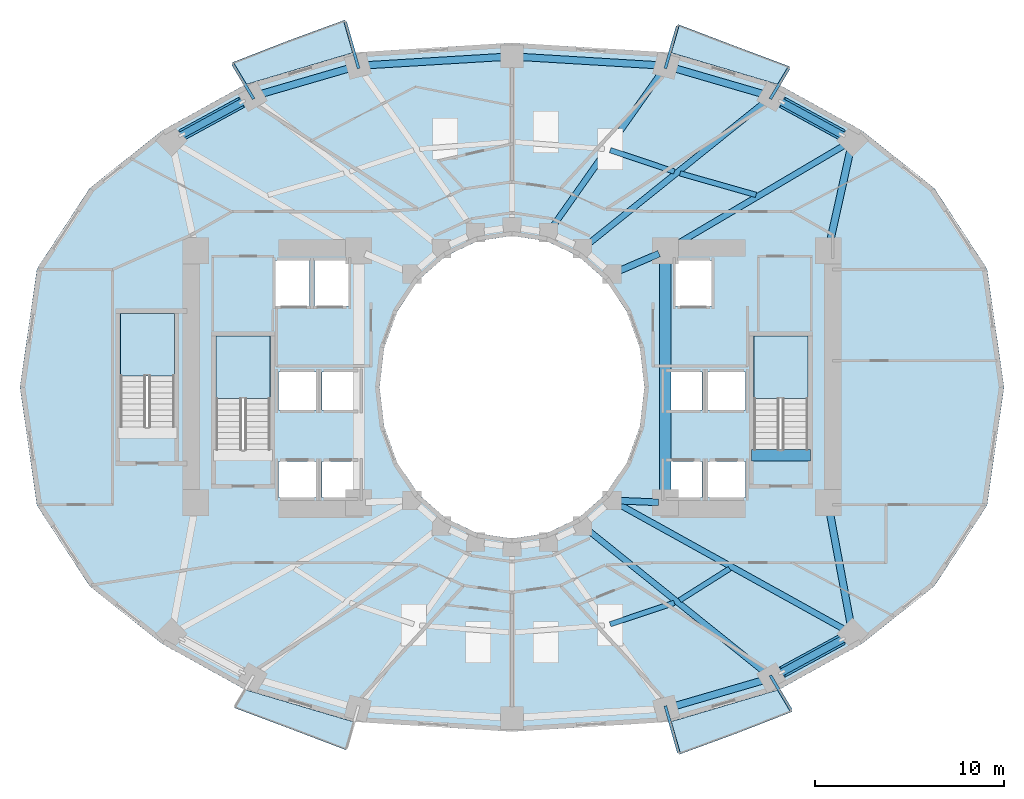
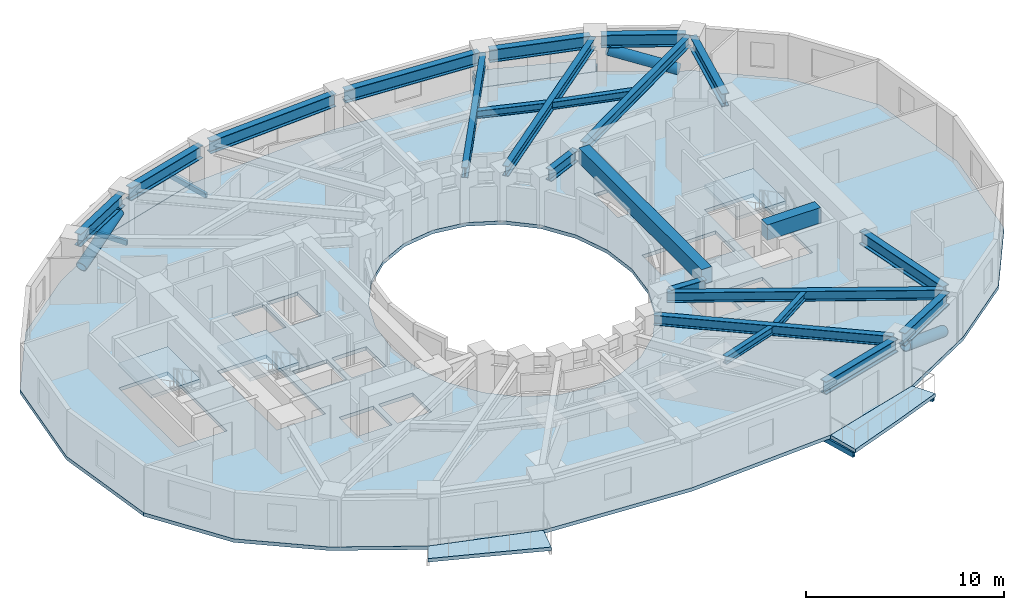
# One storey, part 2 of 11: 29 beams, 8 slabs, 3 members, 3 elements without a shape of their own.
"""IFC4 building model written with IfcOpenShell, lengths in metres."""

from ifc_helpers import new_model, si_unit, direction, frame, origin, origin_2d, place, context, subcontext, project, spatial, polyline, rectangle, hollow_rectangle, hollow_circle, i_section, outline, extrude, material, layer, layer_set, material_profile, profile_set, type_object, element, aggregate, save


model = new_model("IFC4")

# Units and contexts
model_context = context("Model", 3, precision=1e-05, world=origin(), true_north=direction((0.0, 1.0)))
body_context = subcontext(model_context, "Body", "Model", "MODEL_VIEW")
ifc_project = project(units=[si_unit("LENGTHUNIT", "METRE"), si_unit("AREAUNIT", "SQUARE_METRE"), si_unit("VOLUMEUNIT", "CUBIC_METRE"), si_unit("PLANEANGLEUNIT", "RADIAN"), si_unit("MASSUNIT", "GRAM", prefix="KILO")], contexts=[model_context])

# Site, building, storey
site_placement = place(None, origin())
site = spatial("IfcSite", under=ifc_project, at=site_placement, CompositionType="ELEMENT")
building_placement = place(site_placement, origin())
building = spatial("IfcBuilding", under=site, at=building_placement, Name="Solvane Sanctuary Tower", CompositionType="ELEMENT")
storey_placement = place(building_placement, frame((0.0, 0.0, 49.300048828125)))
storey = spatial("IfcBuildingStorey", under=building, at=storey_placement, Name="L14", CompositionType="ELEMENT", Elevation=49.300048828125)

# Beams
ifc_material_1 = material(Name="Steel ASTM A500 Grade C", Category="steel")
ifc_material_profile_1 = material_profile(ifc_material_1, hollow_rectangle(XDim=0.14990234375, YDim=0.300048828125, WallThickness=0.010009765625, at=origin_2d()), Name="HSS300X150X10")
ifc_profile_set_1 = profile_set([ifc_material_profile_1], Name="Steel ASTM A500 Grade C")
beam_type_1 = type_object("IfcBeamType", Name="Beam B-BALC-BRK HSS300X150X10", PredefinedType="BEAM", material=ifc_profile_set_1)
beam_1_placement = place(storey_placement, frame((45.650146484375, 38.230712890625, -0.3720703125), z_axis=(0.513795095213, 0.857912932724, 0.0), x_axis=(-0.857912932724, 0.513795095213, 0.0)))
element("IfcBeam", 1, at=beam_1_placement, inside=storey, type_object=beam_type_1, Name="L14 Balcony Bracket N1-1", PredefinedType="BEAM", context=body_context, shape_type="SweptSolid", body=[
    extrude(hollow_rectangle(XDim=0.14990234375, YDim=0.300048828125, WallThickness=0.010009765625, at=origin_2d()), origin(), (0.0, 0.0, 1.0), 1.896484375),
])
beam_2_placement = place(storey_placement, frame((40.103271484375, 39.84130859375, -0.3720703125), z_axis=(0.277479359198, 0.960731598949, 0.0), x_axis=(-0.960731598949, 0.277479359198, 0.0)))
element("IfcBeam", 2, at=beam_2_placement, inside=storey, type_object=beam_type_1, Name="L14 Balcony Bracket N1-2", PredefinedType="BEAM", context=body_context, shape_type="SweptSolid", body=[
    extrude(hollow_rectangle(XDim=0.14990234375, YDim=0.300048828125, WallThickness=0.010009765625, at=origin_2d()), origin(), (0.0, 0.0, 1.0), 2.325439453125),
])
beam_3_placement = place(storey_placement, frame((23.896484375, 39.84130859375, -0.3720703125), z_axis=(-0.275701054563, 0.961243428333, 0.0), x_axis=(-0.961243428333, -0.275701054563, 0.0)))
element("IfcBeam", 3, at=beam_3_placement, inside=storey, type_object=beam_type_1, Name="L14 Balcony Bracket N2-1", PredefinedType="BEAM", context=body_context, shape_type="SweptSolid", body=[
    extrude(hollow_rectangle(XDim=0.14990234375, YDim=0.300048828125, WallThickness=0.010009765625, at=origin_2d()), origin(), (0.0, 0.0, 1.0), 2.566162109375),
])
beam_4_placement = place(storey_placement, frame((18.349609375, 38.230712890625, -0.3720703125), z_axis=(-0.512242823479, 0.858840666127, 0.0), x_axis=(-0.858840666127, -0.512242823479, 0.0)))
element("IfcBeam", 4, at=beam_4_placement, inside=storey, type_object=beam_type_1, Name="L14 Balcony Bracket N2-2", PredefinedType="BEAM", context=body_context, shape_type="SweptSolid", body=[
    extrude(hollow_rectangle(XDim=0.14990234375, YDim=0.300048828125, WallThickness=0.010009765625, at=origin_2d()), origin(), (0.0, 0.0, 1.0), 2.13720703125),
])
beam_5_placement = place(storey_placement, frame((40.103515625, 6.15869140625, -0.3720703125), z_axis=(0.275701054563, -0.961243428333, 0.0), x_axis=(0.961243428333, 0.275701054563, 0.0)))
element("IfcBeam", 5, at=beam_5_placement, inside=storey, type_object=beam_type_1, Name="L14 Balcony Bracket S2-1", PredefinedType="BEAM", context=body_context, shape_type="SweptSolid", body=[
    extrude(hollow_rectangle(XDim=0.14990234375, YDim=0.300048828125, WallThickness=0.010009765625, at=origin_2d()), origin(), (0.0, 0.0, 1.0), 2.566162109375),
])
beam_6_placement = place(storey_placement, frame((45.650390625, 7.769287109375, -0.3720703125), z_axis=(0.512242823479, -0.858840666127, 0.0), x_axis=(0.858840666127, 0.512242823479, 0.0)))
element("IfcBeam", 6, at=beam_6_placement, inside=storey, type_object=beam_type_1, Name="L14 Balcony Bracket S2-2", PredefinedType="BEAM", context=body_context, shape_type="SweptSolid", body=[
    extrude(hollow_rectangle(XDim=0.14990234375, YDim=0.300048828125, WallThickness=0.010009765625, at=origin_2d()), origin(), (0.0, 0.0, 1.0), 2.13720703125),
])
ifc_material_2 = material(Name="Concrete C70/85", Category="concrete")
ifc_material_profile_2 = material_profile(ifc_material_2, rectangle(XDim=0.60009765625, YDim=0.949951171875, at=origin_2d()), Name="RC600X950")
ifc_profile_set_2 = profile_set([ifc_material_profile_2], Name="Concrete C70/85")
beam_type_2 = type_object("IfcBeamType", Name="Beam B-COUPLE RC600X950", PredefinedType="LINTEL", material=ifc_profile_set_2)
beam_7_placement = place(storey_placement, frame((40.10009765625, 17.35009765625, 2.625), z_axis=(0.0, 1.0, 0.0), x_axis=(-1.0, 0.0, 0.0)))
element("IfcBeam", 7, at=beam_7_placement, inside=storey, type_object=beam_type_2, Name="L14 East Core Coupling Lintel", PredefinedType="LINTEL", context=body_context, shape_type="SweptSolid", body=[
    extrude(rectangle(XDim=0.60009765625, YDim=0.949951171875, at=origin_2d()), origin(), (0.0, 0.0, 1.0), 12.39990234375),
])
beam_8_placement = place(storey_placement, frame((44.64990234375, 19.399169921875, 2.625), z_axis=(1.0, 0.0, 0.0), x_axis=(0.0, 1.0, 0.0)))
element("IfcBeam", 8, at=beam_8_placement, inside=storey, type_object=beam_type_2, Name="L14 ST-2 Stair Floor Landing Trimmer", PredefinedType="LINTEL", context=body_context, shape_type="SweptSolid", body=[
    extrude(rectangle(XDim=0.60009765625, YDim=0.949951171875, at=origin_2d()), origin(), (0.0, 0.0, 1.0), 3.1201171875),
])
ifc_material_3 = material(Name="Steel ASTM A992 Grade 50", Category="steel")
ifc_material_profile_3 = material_profile(ifc_material_3, i_section(OverallWidth=0.323974609375, OverallDepth=0.611083984375, WebThickness=0.0126953125, FlangeThickness=0.01904296875, FilletRadius=0.01611328125, at=origin_2d()), Name="W24X104")
ifc_profile_set_3 = profile_set([ifc_material_profile_3], Name="Steel ASTM A992 Grade 50")
beam_type_3 = type_object("IfcBeamType", Name="Beam B-RAD-Z1 W24X104", PredefinedType="BEAM", material=ifc_profile_set_3)
beam_9_placement = place(storey_placement, frame((40.41015625, 30.3828125, 2.572509765625), z_axis=(0.861291129905, 0.508111788435, 0.0), x_axis=(-0.508111788435, 0.861291129905, 0.0)))
element("IfcBeam", 9, at=beam_9_placement, inside=storey, type_object=beam_type_3, Name="L14 Radial Composite Floor Beam 01", PredefinedType="BEAM", context=body_context, shape_type="SweptSolid", body=[
    extrude(i_section(OverallWidth=0.323974609375, OverallDepth=0.611083984375, WebThickness=0.0126953125, FlangeThickness=0.01904296875, FilletRadius=0.01611328125, at=origin_2d()), origin(), (0.0, 0.0, 1.0), 10.844482421875),
])
beam_10_placement = place(storey_placement, frame((35.9482421875, 30.501953125, 2.572509765625), z_axis=(0.779526985436, 0.626368644631, 0.0), x_axis=(-0.626368644631, 0.779526985436, 0.0)))
element("IfcBeam", 10, at=beam_10_placement, inside=storey, type_object=beam_type_3, Name="L14 Radial Composite Floor Beam 02", PredefinedType="BEAM", context=body_context, shape_type="SweptSolid", body=[
    extrude(i_section(OverallWidth=0.323974609375, OverallDepth=0.611083984375, WebThickness=0.0126953125, FlangeThickness=0.01904296875, FilletRadius=0.01611328125, at=origin_2d()), origin(), (0.0, 0.0, 1.0), 12.2646484375),
])
beam_11_placement = place(storey_placement, frame((34.092041015625, 31.400390625, 2.572509765625), z_axis=(0.576233115666, 0.817285382476, 0.0), x_axis=(-0.817285382476, 0.576233115666, 0.0)))
element("IfcBeam", 11, at=beam_11_placement, inside=storey, type_object=beam_type_3, Name="L14 Radial Composite Floor Beam 03", PredefinedType="BEAM", context=body_context, shape_type="SweptSolid", body=[
    extrude(i_section(OverallWidth=0.323974609375, OverallDepth=0.611083984375, WebThickness=0.0126953125, FlangeThickness=0.01904296875, FilletRadius=0.01611328125, at=origin_2d()), origin(), (0.0, 0.0, 1.0), 10.224365234375),
])
beam_12_placement = place(storey_placement, frame((35.9482421875, 15.498046875, 2.572509765625), z_axis=(0.779526985436, -0.626368644631, 0.0), x_axis=(0.626368644631, 0.779526985436, 0.0)))
element("IfcBeam", 12, at=beam_12_placement, inside=storey, type_object=beam_type_3, Name="L14 Radial Composite Floor Beam 13", PredefinedType="BEAM", context=body_context, shape_type="SweptSolid", body=[
    extrude(i_section(OverallWidth=0.323974609375, OverallDepth=0.611083984375, WebThickness=0.0126953125, FlangeThickness=0.01904296875, FilletRadius=0.01611328125, at=origin_2d()), origin(), (0.0, 0.0, 1.0), 12.2646484375),
])
beam_13_placement = place(storey_placement, frame((37.52001953125, 16.882080078125, 2.572509765625), z_axis=(0.87449641157, -0.485031984668, 0.0), x_axis=(0.485031984668, 0.87449641157, 0.0)))
element("IfcBeam", 13, at=beam_13_placement, inside=storey, type_object=beam_type_3, Name="L14 Radial Composite Floor Beam 14", PredefinedType="BEAM", context=body_context, shape_type="SweptSolid", body=[
    extrude(i_section(OverallWidth=0.323974609375, OverallDepth=0.611083984375, WebThickness=0.0126953125, FlangeThickness=0.01904296875, FilletRadius=0.01611328125, at=origin_2d()), origin(), (0.0, 0.0, 1.0), 13.9814453125),
])
ifc_material_profile_4 = material_profile(ifc_material_3, i_section(OverallWidth=0.35498046875, OverallDepth=0.695068359375, WebThickness=0.015380859375, FlangeThickness=0.02490234375, FilletRadius=0.01806640625, at=origin_2d()), Name="W27X146")
ifc_profile_set_4 = profile_set([ifc_material_profile_4], Name="Steel ASTM A992 Grade 50")
beam_type_4 = type_object("IfcBeamType", Name="Beam B-RING-IN1 W27X146", PredefinedType="BEAM", material=ifc_profile_set_4)
beam_14_placement = place(storey_placement, frame((37.70654296875, 29.168212890625, 2.530517578125), z_axis=(0.918277080365, 0.395938383687, 0.0), x_axis=(-0.395938383687, 0.918277080365, 0.0)))
element("IfcBeam", 14, at=beam_14_placement, inside=storey, type_object=beam_type_4, Name="L14 Inner Light-Well Ring Beam IC01-CE4", PredefinedType="BEAM", context=body_context, shape_type="SweptSolid", body=[
    extrude(i_section(OverallWidth=0.35498046875, OverallDepth=0.695068359375, WebThickness=0.015380859375, FlangeThickness=0.02490234375, FilletRadius=0.01806640625, at=origin_2d()), origin(), (0.0, 0.0, 1.0), 2.246337890625),
])
beam_15_placement = place(storey_placement, frame((37.74462890625, 16.998291015625, 2.530517578125), z_axis=(0.999130953379, -0.041681386726, 0.0), x_axis=(0.041681386726, 0.999130953379, 0.0)))
element("IfcBeam", 15, at=beam_15_placement, inside=storey, type_object=beam_type_4, Name="L14 Inner Light-Well Ring Beam IC14-CE1", PredefinedType="BEAM", context=body_context, shape_type="SweptSolid", body=[
    extrude(i_section(OverallWidth=0.35498046875, OverallDepth=0.695068359375, WebThickness=0.015380859375, FlangeThickness=0.02490234375, FilletRadius=0.01806640625, at=origin_2d()), origin(), (0.0, 0.0, 1.0), 1.997314453125),
])
ifc_material_profile_5 = material_profile(ifc_material_3, i_section(OverallWidth=0.280029296875, OverallDepth=0.462890625, WebThickness=0.0107421875, FlangeThickness=0.017333984375, FilletRadius=0.013916015625, at=origin_2d()), Name="W18X76")
ifc_profile_set_5 = profile_set([ifc_material_profile_5], Name="Steel ASTM A992 Grade 50")
beam_type_5 = type_object("IfcBeamType", Name="Beam B-SEC-JOIST W18X76", PredefinedType="JOIST", material=ifc_profile_set_5)
beam_16_placement = place(storey_placement, frame((37.186767578125, 35.52880859375, 2.646484375), z_axis=(0.948259393162, -0.317496650816, 0.0), x_axis=(0.317496650816, 0.948259393162, 0.0)))
element("IfcBeam", 16, at=beam_16_placement, inside=storey, type_object=beam_type_5, Name="L14 Secondary Circumferential Joist 03-02", PredefinedType="JOIST", context=body_context, shape_type="SweptSolid", body=[
    extrude(i_section(OverallWidth=0.280029296875, OverallDepth=0.462890625, WebThickness=0.0107421875, FlangeThickness=0.017333984375, FilletRadius=0.013916015625, at=origin_2d()), origin(), (0.0, 0.0, 1.0), 3.577880859375),
])
beam_17_placement = place(storey_placement, frame((40.879638671875, 34.300048828125, 2.646484375), z_axis=(0.962003645121, -0.273036603358, 0.0), x_axis=(0.273036603358, 0.962003645121, 0.0)))
element("IfcBeam", 17, at=beam_17_placement, inside=storey, type_object=beam_type_5, Name="L14 Secondary Circumferential Joist 02-01", PredefinedType="JOIST", context=body_context, shape_type="SweptSolid", body=[
    extrude(i_section(OverallWidth=0.280029296875, OverallDepth=0.462890625, WebThickness=0.0107421875, FlangeThickness=0.017333984375, FilletRadius=0.013916015625, at=origin_2d()), origin(), (0.0, 0.0, 1.0), 4.174072265625),
])
beam_18_placement = place(storey_placement, frame((37.186767578125, 10.47119140625, 2.646484375), z_axis=(0.948259393162, 0.317496650816, 0.0), x_axis=(-0.317496650816, 0.948259393162, 0.0)))
element("IfcBeam", 18, at=beam_18_placement, inside=storey, type_object=beam_type_5, Name="L14 Secondary Circumferential Joist 12-13", PredefinedType="JOIST", context=body_context, shape_type="SweptSolid", body=[
    extrude(i_section(OverallWidth=0.280029296875, OverallDepth=0.462890625, WebThickness=0.0107421875, FlangeThickness=0.017333984375, FilletRadius=0.013916015625, at=origin_2d()), origin(), (0.0, 0.0, 1.0), 3.577880859375),
])
beam_19_placement = place(storey_placement, frame((40.861328125, 11.74072265625, 2.646484375), z_axis=(0.845524211665, 0.533937081957, 0.0), x_axis=(-0.533937081957, 0.845524211665, 0.0)))
element("IfcBeam", 19, at=beam_19_placement, inside=storey, type_object=beam_type_5, Name="L14 Secondary Circumferential Joist 13-14", PredefinedType="JOIST", context=body_context, shape_type="SweptSolid", body=[
    extrude(i_section(OverallWidth=0.280029296875, OverallDepth=0.462890625, WebThickness=0.0107421875, FlangeThickness=0.017333984375, FilletRadius=0.013916015625, at=origin_2d()), origin(), (0.0, 0.0, 1.0), 3.12158203125),
])
ifc_material_profile_6 = material_profile(ifc_material_3, i_section(OverallWidth=0.382080078125, OverallDepth=0.779052734375, WebThickness=0.01806640625, FlangeThickness=0.030029296875, FilletRadius=0.02001953125, at=origin_2d()), Name="W30X191")
ifc_profile_set_6 = profile_set([ifc_material_profile_6], Name="Steel ASTM A992 Grade 50")
beam_type_6 = type_object("IfcBeamType", Name="Beam B-SPAND-Z1 W30X191", PredefinedType="SPANDREL", material=ifc_profile_set_6)
beam_20_placement = place(storey_placement, frame((14.254150390625, 36.169189453125, 2.488525390625), z_axis=(0.878060556078, 0.478549537519, 0.0), x_axis=(-0.478549537519, 0.878060556078, 0.0)))
element("IfcBeam", 20, at=beam_20_placement, inside=storey, type_object=beam_type_6, Name="L14 Perimeter Spandrel Beam TC07-TC06", PredefinedType="SPANDREL", context=body_context, shape_type="SweptSolid", body=[
    extrude(i_section(OverallWidth=0.382080078125, OverallDepth=0.779052734375, WebThickness=0.01806640625, FlangeThickness=0.030029296875, FilletRadius=0.02001953125, at=origin_2d()), origin(), (0.0, 0.0, 1.0), 4.296630859375),
])
beam_21_placement = place(storey_placement, frame((18.54150390625, 38.437744140625, 2.488525390625), z_axis=(0.960096217722, 0.279669899553, 0.0), x_axis=(-0.279669899553, 0.960096217722, 0.0)))
element("IfcBeam", 21, at=beam_21_placement, inside=storey, type_object=beam_type_6, Name="L14 Perimeter Spandrel Beam TC06-TC05", PredefinedType="SPANDREL", context=body_context, shape_type="SweptSolid", body=[
    extrude(i_section(OverallWidth=0.382080078125, OverallDepth=0.779052734375, WebThickness=0.01806640625, FlangeThickness=0.030029296875, FilletRadius=0.02001953125, at=origin_2d()), origin(), (0.0, 0.0, 1.0), 5.25439453125),
])
for number, where, z_axis, x_axis, name in (
    (22, (24.134521484375, 40.00244140625, 2.488525390625), (0.998162966989, 0.060586230553, 0.0), (-0.060586230553, 0.998162966989, 0.0), "L14 Perimeter Spandrel Beam TC05-TC04"),
    (23, (32.279541015625, 40.462890625, 2.488525390625), (0.998162966989, -0.060586230553, 0.0), (0.060586230553, 0.998162966989, 0.0), "L14 Perimeter Spandrel Beam TC04-TC03"),
):
    element("IfcBeam", number, at=place(storey_placement, frame(where, z_axis=z_axis, x_axis=x_axis)), inside=storey, type_object=beam_type_6, Name=name, PredefinedType="SPANDREL", context=body_context, shape_type="SweptSolid", body=[
        extrude(i_section(OverallWidth=0.382080078125, OverallDepth=0.779052734375, WebThickness=0.01806640625, FlangeThickness=0.030029296875, FilletRadius=0.02001953125, at=origin_2d()), origin(), (0.0, 0.0, 1.0), 7.599853515625),
    ])
beam_22_placement = place(storey_placement, frame((40.413818359375, 39.9072265625, 2.488525390625), z_axis=(0.960096217722, -0.279669899553, 0.0), x_axis=(0.279669899553, 0.960096217722, 0.0)))
element("IfcBeam", 24, at=beam_22_placement, inside=storey, type_object=beam_type_6, Name="L14 Perimeter Spandrel Beam TC03-TC02", PredefinedType="SPANDREL", context=body_context, shape_type="SweptSolid", body=[
    extrude(i_section(OverallWidth=0.382080078125, OverallDepth=0.779052734375, WebThickness=0.01806640625, FlangeThickness=0.030029296875, FilletRadius=0.02001953125, at=origin_2d()), origin(), (0.0, 0.0, 1.0), 5.25439453125),
])
beam_23_placement = place(storey_placement, frame((45.97314453125, 38.225341796875, 2.488525390625), z_axis=(0.878060556078, -0.478549537519, 0.0), x_axis=(0.478549537519, 0.878060556078, 0.0)))
element("IfcBeam", 25, at=beam_23_placement, inside=storey, type_object=beam_type_6, Name="L14 Perimeter Spandrel Beam TC02-TC01", PredefinedType="SPANDREL", context=body_context, shape_type="SweptSolid", body=[
    extrude(i_section(OverallWidth=0.382080078125, OverallDepth=0.779052734375, WebThickness=0.01806640625, FlangeThickness=0.030029296875, FilletRadius=0.02001953125, at=origin_2d()), origin(), (0.0, 0.0, 1.0), 4.296630859375),
])
beam_24_placement = place(storey_placement, frame((49.93115234375, 35.761962890625, 2.488525390625), z_axis=(-0.216123846648, -0.976365957472, 0.0), x_axis=(0.976365957472, -0.216123846648, 0.0)))
element("IfcBeam", 26, at=beam_24_placement, inside=storey, type_object=beam_type_6, Name="L14 Perimeter Spandrel Beam TC01-CE3", PredefinedType="SPANDREL", context=body_context, shape_type="SweptSolid", body=[
    extrude(i_section(OverallWidth=0.382080078125, OverallDepth=0.779052734375, WebThickness=0.01806640625, FlangeThickness=0.030029296875, FilletRadius=0.02001953125, at=origin_2d()), origin(), (0.0, 0.0, 1.0), 5.41650390625),
])
beam_25_placement = place(storey_placement, frame((40.413818359375, 6.0927734375, 2.488525390625), z_axis=(0.960096217722, 0.279669899553, 0.0), x_axis=(-0.279669899553, 0.960096217722, 0.0)))
element("IfcBeam", 27, at=beam_25_placement, inside=storey, type_object=beam_type_6, Name="L14 Perimeter Spandrel Beam TC12-TC13", PredefinedType="SPANDREL", context=body_context, shape_type="SweptSolid", body=[
    extrude(i_section(OverallWidth=0.382080078125, OverallDepth=0.779052734375, WebThickness=0.01806640625, FlangeThickness=0.030029296875, FilletRadius=0.02001953125, at=origin_2d()), origin(), (0.0, 0.0, 1.0), 5.25439453125),
])
beam_26_placement = place(storey_placement, frame((45.97314453125, 7.774658203125, 2.488525390625), z_axis=(0.878060556078, 0.478549537519, 0.0), x_axis=(-0.478549537519, 0.878060556078, 0.0)))
element("IfcBeam", 28, at=beam_26_placement, inside=storey, type_object=beam_type_6, Name="L14 Perimeter Spandrel Beam TC13-TC14", PredefinedType="SPANDREL", context=body_context, shape_type="SweptSolid", body=[
    extrude(i_section(OverallWidth=0.382080078125, OverallDepth=0.779052734375, WebThickness=0.01806640625, FlangeThickness=0.030029296875, FilletRadius=0.02001953125, at=origin_2d()), origin(), (0.0, 0.0, 1.0), 4.296630859375),
])
beam_27_placement = place(storey_placement, frame((49.9404296875, 10.239990234375, 2.488525390625), z_axis=(-0.183108171104, 0.983092771652, 0.0), x_axis=(-0.983092771652, -0.183108171104, 0.0)))
element("IfcBeam", 29, at=beam_27_placement, inside=storey, type_object=beam_type_6, Name="L14 Perimeter Spandrel Beam TC14-CE2", PredefinedType="SPANDREL", context=body_context, shape_type="SweptSolid", body=[
    extrude(i_section(OverallWidth=0.382080078125, OverallDepth=0.779052734375, WebThickness=0.01806640625, FlangeThickness=0.030029296875, FilletRadius=0.02001953125, at=origin_2d()), origin(), (0.0, 0.0, 1.0), 6.49462890625),
])

# Members
ifc_material_profile_7 = material_profile(ifc_material_3, hollow_circle(Radius=0.304931640625, WallThickness=0.01611328125, at=origin_2d()), Name="CHS610X16")
ifc_profile_set_7 = profile_set([ifc_material_profile_7], Name="Steel ASTM A992 Grade 50")
member_type = type_object("IfcMemberType", Name="Member M-TUBE-Z1 CHS610X16", PredefinedType="BRACE", material=ifc_profile_set_7)
for number, where, z_axis, x_axis, name in (
    (30, (49.43408203125, 36.339111328125, 0.604736328125), (-0.827757582726, 0.451121829397, 0.333626256882), (-0.478539548862, -0.878065999897, 0.0), "L14 Perimeter Braced-Tube Diagonal NE"),
    (31, (14.56591796875, 36.339111328125, 0.604736328125), (0.827757582726, 0.451121829397, 0.333626256882), (-0.478539548862, 0.878065999897, 0.0), "L14 Perimeter Braced-Tube Diagonal NW"),
    (32, (49.43408203125, 9.660888671875, 0.604736328125), (-0.827757582726, -0.451121829397, 0.333626256882), (0.478539548862, -0.878065999897, 0.0), "L14 Perimeter Braced-Tube Diagonal SE"),
):
    element("IfcMember", number, at=place(storey_placement, frame(where, z_axis=z_axis, x_axis=x_axis)), inside=storey, type_object=member_type, Name=name, PredefinedType="BRACE", context=body_context, shape_type="SweptSolid", body=[
        extrude(hollow_circle(Radius=0.304931640625, WallThickness=0.01611328125, at=origin_2d()), origin(), (0.0, 0.0, 1.0), 3.83154296875),
    ])

# Slabs
ifc_material_4 = material(Name="Precast concrete C40/50", Category="concrete")
ifc_layer_1 = layer(ifc_material_4, 0.219970703125, Name="Precast concrete C40/50")
ifc_layer_set_1 = layer_set([ifc_layer_1], Name="Precast concrete C40/50")
slab_type_1 = type_object("IfcSlabType", Name="Slab SL-BALC-200", PredefinedType="FLOOR", material=ifc_layer_set_1)
slab_1_placement = place(storey_placement, frame((0.0, 0.0, -0.219970703125)))
element("IfcSlab", 33, at=slab_1_placement, inside=storey, type_object=slab_type_1, Name="L14 Wave Balcony Slab N1", PredefinedType="FLOOR", context=body_context, shape_type="SweptSolid", body=[
    extrude(outline(polyline([(46.67578125, 39.943603515625), (43.749267578125, 41.040283203125), (40.7763671875, 42.171630859375), (40.3779296875, 40.684326171875), (46.119140625, 38.981201171875), (46.67578125, 39.943603515625)])), origin(), (0.0, 0.0, 1.0), 0.219970703125),
])
slab_2_placement = place(storey_placement, frame((0.0, 0.0, -0.219970703125)))
element("IfcSlab", 34, at=slab_2_placement, inside=storey, type_object=slab_type_1, Name="L14 Wave Balcony Slab N2", PredefinedType="FLOOR", context=body_context, shape_type="SweptSolid", body=[
    extrude(outline(polyline([(23.161376953125, 42.404296875), (20.144287109375, 41.297119140625), (17.20361328125, 40.152099609375), (17.880859375, 38.981201171875), (23.6220703125, 40.684326171875), (23.161376953125, 42.404296875)])), origin(), (0.0, 0.0, 1.0), 0.219970703125),
])
slab_3_placement = place(storey_placement, frame((0.0, 0.0, -0.219970703125)))
element("IfcSlab", 35, at=slab_3_placement, inside=storey, type_object=slab_type_1, Name="L14 Wave Balcony Slab S1", PredefinedType="FLOOR", context=body_context, shape_type="SweptSolid", body=[
    extrude(outline(polyline([(17.32421875, 6.056396484375), (20.250732421875, 4.959716796875), (23.2236328125, 3.828369140625), (23.6220703125, 5.315673828125), (17.880859375, 7.018798828125), (17.32421875, 6.056396484375)])), origin(), (0.0, 0.0, 1.0), 0.219970703125),
])
slab_4_placement = place(storey_placement, frame((0.0, 0.0, -0.219970703125)))
element("IfcSlab", 36, at=slab_4_placement, inside=storey, type_object=slab_type_1, Name="L14 Wave Balcony Slab S2", PredefinedType="FLOOR", context=body_context, shape_type="SweptSolid", body=[
    extrude(outline(polyline([(40.838623046875, 3.595703125), (43.855712890625, 4.702880859375), (46.79638671875, 5.847900390625), (46.119140625, 7.018798828125), (40.3779296875, 5.315673828125), (40.838623046875, 3.595703125)])), origin(), (0.0, 0.0, 1.0), 0.219970703125),
])

# Stair, slab
ifc_material_5 = material(Name="Concrete C45/55", Category="concrete")
stair_type = type_object("IfcStairType", Name="Stair ST-TOW", PredefinedType="HALF_TURN_STAIR", material=ifc_material_5)
stair_1_placement = place(storey_placement, origin())
stair_1 = element("IfcStair", 37, at=stair_1_placement, inside=storey, type_object=stair_type, Name="L14 Exit Stair ST-1 West Core", PredefinedType="HALF_TURN_STAIR")
ifc_layer_2 = layer(ifc_material_5, 0.199951171875, Name="Concrete C45/55")
ifc_layer_set_2 = layer_set([ifc_layer_2], Name="Concrete C45/55")
slab_type_2 = type_object("IfcSlabType", Name="Slab SL-LAND-180", PredefinedType="LANDING", material=ifc_layer_set_2)
slab_5_placement = place(storey_placement, frame((0.0, 0.0, 1.349853515625)))
slab_5 = element("IfcSlab", 38, at=slab_5_placement, type_object=slab_type_2, Name="ST-1 landing 1", PredefinedType="LANDING", context=body_context, shape_type="SweptSolid", body=[
    extrude(outline(polyline([(19.219970703125, 22.39990234375), (19.219970703125, 25.699951171875), (16.360107421875, 25.699951171875), (16.360107421875, 22.39990234375), (19.219970703125, 22.39990234375)])), origin(), (0.0, 0.0, 1.0), 0.2001953125),
])
aggregate(stair_1, [slab_5])

stair_2_placement = place(storey_placement, origin())
stair_2 = element("IfcStair", 39, at=stair_2_placement, inside=storey, type_object=stair_type, Name="L14 Exit Stair ST-2 East Core", PredefinedType="HALF_TURN_STAIR")
slab_6_placement = place(storey_placement, frame((0.0, 0.0, 1.349853515625)))
slab_6 = element("IfcSlab", 40, at=slab_6_placement, type_object=slab_type_2, Name="ST-2 landing 1", PredefinedType="LANDING", context=body_context, shape_type="SweptSolid", body=[
    extrude(outline(polyline([(47.639892578125, 22.39990234375), (47.639892578125, 25.699951171875), (44.780029296875, 25.699951171875), (44.780029296875, 22.39990234375), (47.639892578125, 22.39990234375)])), origin(), (0.0, 0.0, 1.0), 0.2001953125),
])
aggregate(stair_2, [slab_6])

stair_3_placement = place(storey_placement, origin())
stair_3 = element("IfcStair", 41, at=stair_3_placement, inside=storey, type_object=stair_type, Name="L14 Exit Stair ST-3 Pilgrim Tower Stair", PredefinedType="HALF_TURN_STAIR")
slab_7_placement = place(storey_placement, frame((0.0, 0.0, 1.349853515625)))
slab_7 = element("IfcSlab", 42, at=slab_7_placement, type_object=slab_type_2, Name="ST-3 landing 1", PredefinedType="LANDING", context=body_context, shape_type="SweptSolid", body=[
    extrude(outline(polyline([(14.159912109375, 23.60009765625), (14.159912109375, 26.89990234375), (11.300048828125, 26.89990234375), (11.300048828125, 23.60009765625), (14.159912109375, 23.60009765625)])), origin(), (0.0, 0.0, 1.0), 0.2001953125),
])
aggregate(stair_3, [slab_7])

# Slab
ifc_layer_3 = layer(ifc_material_5, 0.219970703125, Name="Concrete C45/55")
ifc_layer_set_3 = layer_set([ifc_layer_3], Name="Concrete C45/55")
slab_type_3 = type_object("IfcSlabType", Name="Slab SL-TOW-220", PredefinedType="FLOOR", material=ifc_layer_set_3)
slab_8_placement = place(storey_placement, frame((0.0, 0.0, -0.219970703125)))
element("IfcSlab", 43, at=slab_8_placement, inside=storey, type_object=slab_type_3, Name="L14 Primary Structural Slab", PredefinedType="FLOOR", context=body_context, shape_type="SweptSolid", body=[
    extrude(outline(polyline([(58.0, 23.0), (57.101806640625, 29.25048828125), (54.31396484375, 33.516845703125), (50.504150390625, 36.547607421875), (46.1181640625, 38.977294921875), (40.376708984375, 40.6806640625), (32.0, 41.199951171875), (23.623291015625, 40.6806640625), (17.8818359375, 38.977294921875), (13.495849609375, 36.547607421875), (9.68603515625, 33.516845703125), (6.898193359375, 29.25048828125), (6.0, 23.0), (6.898193359375, 16.74951171875), (9.68603515625, 12.483154296875), (13.495849609375, 9.452392578125), (17.8818359375, 7.022705078125), (23.623291015625, 5.3193359375), (32.0, 4.800048828125), (40.376708984375, 5.3193359375), (46.1181640625, 7.022705078125), (50.504150390625, 9.452392578125), (54.31396484375, 12.483154296875), (57.101806640625, 16.74951171875), (58.0, 23.0)]), holes=[polyline([(38.761474609375, 20.929443359375), (38.062255859375, 19.0), (36.94970703125, 17.343017578125), (35.5, 16.07177734375), (33.811767578125, 15.272705078125), (32.0, 15.0), (30.188232421875, 15.272705078125), (28.5, 16.07177734375), (27.05029296875, 17.343017578125), (25.937744140625, 19.0), (25.238525390625, 20.929443359375), (25.0, 23.0), (25.238525390625, 25.070556640625), (25.937744140625, 27.0), (27.05029296875, 28.656982421875), (28.5, 29.92822265625), (30.188232421875, 30.727294921875), (32.0, 31.0), (33.811767578125, 30.727294921875), (35.5, 29.92822265625), (36.94970703125, 28.656982421875), (38.062255859375, 27.0), (38.761474609375, 25.070556640625), (39.0, 23.0), (38.761474609375, 20.929443359375)]), polyline([(16.360107421875, 19.699951171875), (16.360107421875, 25.699951171875), (19.219970703125, 25.699951171875), (19.219970703125, 19.699951171875), (16.360107421875, 19.699951171875)]), polyline([(44.780029296875, 19.699951171875), (44.780029296875, 25.699951171875), (47.639892578125, 25.699951171875), (47.639892578125, 19.699951171875), (44.780029296875, 19.699951171875)]), polyline([(11.300048828125, 20.89990234375), (11.300048828125, 26.89990234375), (14.159912109375, 26.89990234375), (14.159912109375, 20.89990234375), (11.300048828125, 20.89990234375)]), polyline([(19.64990234375, 19.080078125), (21.64990234375, 19.080078125), (21.64990234375, 17.179931640625), (19.64990234375, 17.179931640625), (19.64990234375, 19.080078125)]), polyline([(21.949951171875, 19.080078125), (23.949951171875, 19.080078125), (23.949951171875, 17.179931640625), (21.949951171875, 17.179931640625), (21.949951171875, 19.080078125)]), polyline([(40.050048828125, 19.080078125), (42.050048828125, 19.080078125), (42.050048828125, 17.179931640625), (40.050048828125, 17.179931640625), (40.050048828125, 19.080078125)]), polyline([(42.35009765625, 19.080078125), (44.35009765625, 19.080078125), (44.35009765625, 17.179931640625), (42.35009765625, 17.179931640625), (42.35009765625, 19.080078125)]), polyline([(19.64990234375, 23.800048828125), (21.64990234375, 23.800048828125), (21.64990234375, 21.800048828125), (19.64990234375, 21.800048828125), (19.64990234375, 23.800048828125)]), polyline([(42.35009765625, 23.800048828125), (44.35009765625, 23.800048828125), (44.35009765625, 21.800048828125), (42.35009765625, 21.800048828125), (42.35009765625, 23.800048828125)]), polyline([(21.949951171875, 23.800048828125), (23.949951171875, 23.800048828125), (23.949951171875, 21.800048828125), (21.949951171875, 21.800048828125), (21.949951171875, 23.800048828125)]), polyline([(40.050048828125, 23.800048828125), (42.050048828125, 23.800048828125), (42.050048828125, 21.800048828125), (40.050048828125, 21.800048828125), (40.050048828125, 23.800048828125)]), polyline([(19.5, 29.699951171875), (21.300048828125, 29.699951171875), (21.300048828125, 27.300048828125), (19.5, 27.300048828125), (19.5, 29.699951171875)]), polyline([(21.550048828125, 29.699951171875), (23.35009765625, 29.699951171875), (23.35009765625, 27.300048828125), (21.550048828125, 27.300048828125), (21.550048828125, 29.699951171875)]), polyline([(40.64990234375, 29.699951171875), (42.550048828125, 29.699951171875), (42.550048828125, 27.300048828125), (40.64990234375, 27.300048828125), (40.64990234375, 29.699951171875)])]), origin(), (0.0, 0.0, 1.0), 0.219970703125),
])

save(model, "model.ifc")
